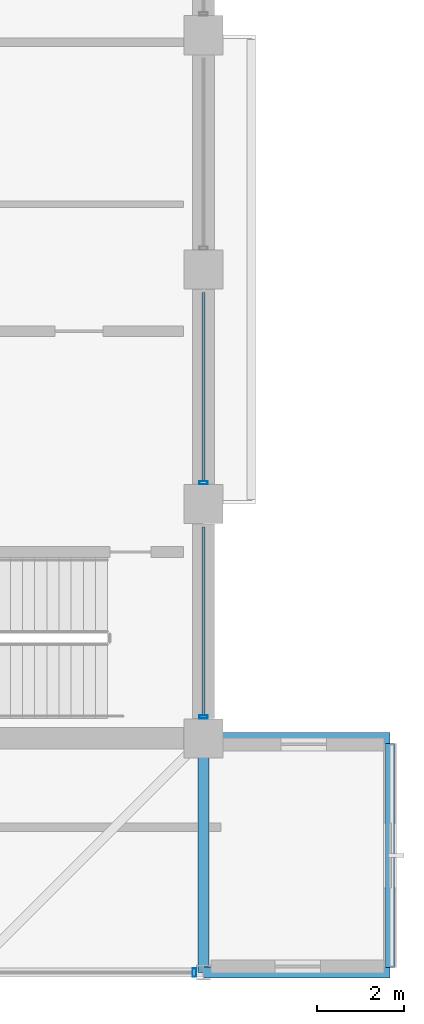
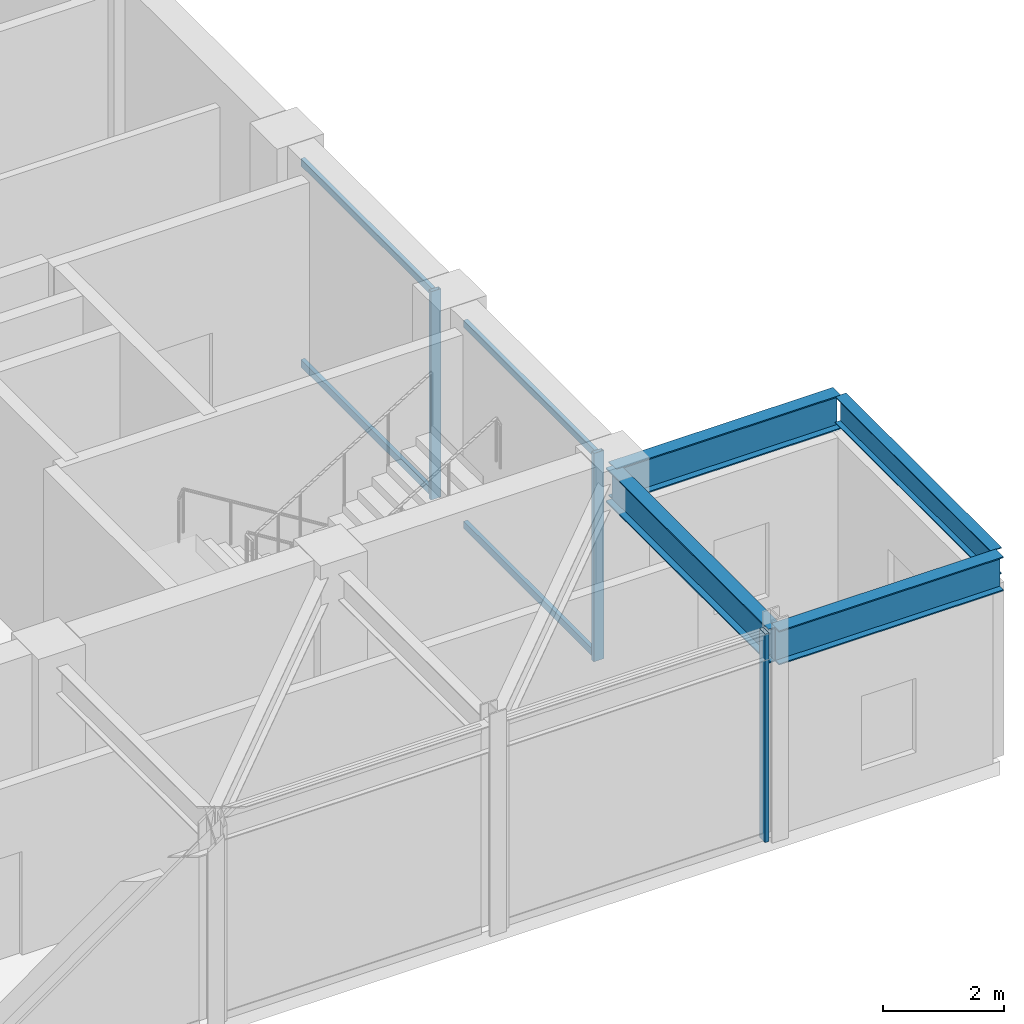
# One storey, part 8 of 18: 7 members, 4 beams, 2 elements without a shape of their own.
"""IFC4 building model written with IfcOpenShell, lengths in metres."""

from ifc_helpers import new_model, si_unit, direction, frame, origin, origin_2d, place, context, subcontext, project, spatial, hollow_rectangle, i_section, extrude, material, layer, layer_set, material_profile, profile_set, type_object, element, aggregate, save


model = new_model("IFC4")

# Units and contexts
model_context = context("Model", 3, precision=1e-05, world=origin(), true_north=direction((0.0, 1.0)))
body_context = subcontext(model_context, "Body", "Model", "MODEL_VIEW")
ifc_project = project(units=[si_unit("LENGTHUNIT", "METRE"), si_unit("AREAUNIT", "SQUARE_METRE"), si_unit("VOLUMEUNIT", "CUBIC_METRE"), si_unit("PLANEANGLEUNIT", "RADIAN"), si_unit("MASSUNIT", "GRAM", prefix="KILO")], contexts=[model_context])

# Site, building, storey
site_placement = place(None, origin())
site = spatial("IfcSite", under=ifc_project, at=site_placement, CompositionType="ELEMENT")
building_placement = place(site_placement, origin())
building = spatial("IfcBuilding", under=site, at=building_placement, Name="Surkhivell Harbour Commons", CompositionType="ELEMENT")
storey_placement = place(building_placement, frame((0.0, 0.0, 351.0)))
storey = spatial("IfcBuildingStorey", under=building, at=storey_placement, Name="L91", CompositionType="ELEMENT", Elevation=351.0)

# Beams
ifc_material_1 = material(Name="Steel S460", Category="steel")
ifc_material_profile_1 = material_profile(ifc_material_1, i_section(OverallWidth=0.256103515625, OverallDepth=0.693115234375, WebThickness=0.014404296875, FlangeThickness=0.023681640625, at=origin_2d()), Name="UB686x254x170")
ifc_profile_set_1 = profile_set([ifc_material_profile_1], Name="Steel S460")
beam_type_1 = type_object("IfcBeamType", Name="BM-CNT-686", PredefinedType="BEAM", material=ifc_profile_set_1)
for number, where, z_axis, x_axis, name in (
    (1, (10.800048828125, -16.199951171875, 3.87353515625), (1.0, 0.0, 0.0), (0.0, 1.0, 0.0), "L91 Box Cantilever Outrigger (10.8,-16.2)"),
    (2, (10.800048828125, -10.800048828125, 3.87353515625), (1.0, 0.0, 0.0), (0.0, 1.0, 0.0), "L91 Box Cantilever Outrigger (10.8,-10.8)"),
):
    element("IfcBeam", number, at=place(storey_placement, frame(where, z_axis=z_axis, x_axis=x_axis)), inside=storey, type_object=beam_type_1, Name=name, PredefinedType="BEAM", context=body_context, shape_type="SweptSolid", body=[
        extrude(i_section(OverallWidth=0.256103515625, OverallDepth=0.693115234375, WebThickness=0.014404296875, FlangeThickness=0.023681640625, at=origin_2d()), origin(), (0.0, 0.0, 1.0), 4.300048828125),
    ])
ifc_material_2 = material(Name="Steel S355", Category="steel")
ifc_material_profile_2 = material_profile(ifc_material_2, i_section(OverallWidth=0.2099609375, OverallDepth=0.537109375, WebThickness=0.0107421875, FlangeThickness=0.017333984375, at=origin_2d()), Name="UB533x210x101")
ifc_profile_set_2 = profile_set([ifc_material_profile_2], Name="Steel S355")
beam_type_2 = type_object("IfcBeamType", Name="BM-GRD-533B", PredefinedType="BEAM", material=ifc_profile_set_2)
beam_1_placement = place(storey_placement, frame((15.10009765625, -16.077880859375, 3.951416015625), z_axis=(0.0, 1.0, 0.0), x_axis=(-1.0, 0.0, 0.0)))
element("IfcBeam", 3, at=beam_1_placement, inside=storey, type_object=beam_type_2, Name="L91 Box Rim Spandrel (15.1,-16.2)", PredefinedType="BEAM", context=body_context, shape_type="SweptSolid", body=[
    extrude(i_section(OverallWidth=0.2099609375, OverallDepth=0.537109375, WebThickness=0.0107421875, FlangeThickness=0.017333984375, at=origin_2d()), origin(), (0.0, 0.0, 1.0), 5.15576171875),
])
ifc_material_profile_3 = material_profile(ifc_material_2, i_section(OverallWidth=0.256103515625, OverallDepth=0.693115234375, WebThickness=0.014404296875, FlangeThickness=0.023681640625, at=origin_2d()), Name="UB686x254x170")
ifc_profile_set_3 = profile_set([ifc_material_profile_3], Name="Steel S355")
beam_type_3 = type_object("IfcBeamType", Name="BM-SPN-686", PredefinedType="SPANDREL", material=ifc_profile_set_3)
beam_2_placement = place(storey_placement, frame((10.800048828125, -16.199951171875, 3.87353515625), z_axis=(0.0, 1.0, 0.0), x_axis=(-1.0, 0.0, 0.0)))
element("IfcBeam", 4, at=beam_2_placement, inside=storey, type_object=beam_type_3, Name="L91 Tube Spandrel (10.8,-16.2)", PredefinedType="SPANDREL", context=body_context, shape_type="SweptSolid", body=[
    extrude(i_section(OverallWidth=0.256103515625, OverallDepth=0.693115234375, WebThickness=0.014404296875, FlangeThickness=0.023681640625, at=origin_2d()), origin(), (0.0, 0.0, 1.0), 5.39990234375),
])

# Curtain wall, member
ifc_material_3 = material(Name="Anodised pale-metal aluminium and insulated glazing", Category="aluminium")
ifc_layer = layer(ifc_material_3, 0.22998046875)
ifc_layer_set = layer_set([ifc_layer], Name="Anodised pale-metal aluminium and insulated glazing")
curtain_wall_type = type_object("IfcCurtainWallType", Name="CW-SYS-CRN", PredefinedType="NOTDEFINED", material=ifc_layer_set)
curtain_wall_1_placement = place(storey_placement, origin())
curtain_wall_1 = element("IfcCurtainWall", 5, at=curtain_wall_1_placement, inside=storey, type_object=curtain_wall_type, Name="L91 Curtain Wall CW-L91-C05", PredefinedType="NOTDEFINED")
ifc_material_4 = material(Name="Anodised pale-metal aluminium alloy 6063-T6", Category="aluminium")
ifc_material_profile_4 = material_profile(ifc_material_4, hollow_rectangle(XDim=0.074951171875, YDim=0.18994140625, WallThickness=0.00390625, at=origin_2d()), Name="ALU-MULL-75x190")
ifc_profile_set_4 = profile_set([ifc_material_profile_4], Name="Anodised pale-metal aluminium alloy 6063-T6")
member_type_1 = type_object("IfcMemberType", Name="CWM-190", PredefinedType="MULLION", material=ifc_profile_set_4)
member_1_placement = place(storey_placement, frame((10.590576171875, -16.199951171875, 0.0), z_axis=(0.0, 0.0, 1.0), x_axis=(1.0, 0.0, 0.0)))
member_1 = element("IfcMember", 6, at=member_1_placement, type_object=member_type_1, Name="CW-CRN mullion 6", PredefinedType="MULLION", context=body_context, shape_type="SweptSolid", body=[
    extrude(hollow_rectangle(XDim=0.074951171875, YDim=0.18994140625, WallThickness=0.00390625, at=origin_2d()), origin(), (0.0, 0.0, 1.0), 4.219970703125),
])
aggregate(curtain_wall_1, [member_1])

# Curtain wall, members
curtain_wall_2_placement = place(storey_placement, origin())
curtain_wall_2 = element("IfcCurtainWall", 7, at=curtain_wall_2_placement, inside=storey, type_object=curtain_wall_type, Name="L91 Curtain Wall CW-L91-C06S1", PredefinedType="NOTDEFINED")
member_2_placement = place(storey_placement, frame((10.800048828125, -10.310546875, 0.0), z_axis=(0.0, 0.0, 1.0), x_axis=(0.0, 1.0, 0.0)))
member_2 = element("IfcMember", 8, at=member_2_placement, type_object=member_type_1, Name="CW-CRN mullion 1", PredefinedType="MULLION", context=body_context, shape_type="SweptSolid", body=[
    extrude(hollow_rectangle(XDim=0.074951171875, YDim=0.18994140625, WallThickness=0.00390625, at=origin_2d()), origin(), (0.0, 0.0, 1.0), 4.219970703125),
])
member_3_placement = place(storey_placement, frame((10.800048828125, -4.910400390625, 0.0), z_axis=(0.0, 0.0, 1.0), x_axis=(0.0, 1.0, 0.0)))
member_3 = element("IfcMember", 9, at=member_3_placement, type_object=member_type_1, Name="CW-CRN mullion 2", PredefinedType="MULLION", context=body_context, shape_type="SweptSolid", body=[
    extrude(hollow_rectangle(XDim=0.074951171875, YDim=0.18994140625, WallThickness=0.00390625, at=origin_2d()), origin(), (0.0, 0.0, 1.0), 4.219970703125),
])
ifc_material_profile_5 = material_profile(ifc_material_4, hollow_rectangle(XDim=0.074951171875, YDim=0.14990234375, WallThickness=0.00341796875, at=origin_2d()), Name="ALU-TRAN-75x150")
ifc_profile_set_5 = profile_set([ifc_material_profile_5], Name="Anodised pale-metal aluminium alloy 6063-T6")
member_type_2 = type_object("IfcMemberType", Name="CWT-150", PredefinedType="USERDEFINED", material=ifc_profile_set_5)
member_4_placement = place(storey_placement, frame((10.800048828125, -10.27294921875, 0.074951171875), z_axis=(0.0, 1.0, 0.0), x_axis=(-1.0, 0.0, 0.0)))
member_4 = element("IfcMember", 10, at=member_4_placement, type_object=member_type_2, Name="CW-CRN transom 1.1", ObjectType="TRANSOM", PredefinedType="USERDEFINED", context=body_context, shape_type="SweptSolid", body=[
    extrude(hollow_rectangle(XDim=0.074951171875, YDim=0.14990234375, WallThickness=0.00341796875, at=origin_2d()), origin(), (0.0, 0.0, 1.0), 4.345947265625),
])
member_5_placement = place(storey_placement, frame((10.800048828125, -10.27294921875, 4.14501953125), z_axis=(0.0, 1.0, 0.0), x_axis=(-1.0, 0.0, 0.0)))
member_5 = element("IfcMember", 11, at=member_5_placement, type_object=member_type_2, Name="CW-CRN transom 1.2", ObjectType="TRANSOM", PredefinedType="USERDEFINED", context=body_context, shape_type="SweptSolid", body=[
    extrude(hollow_rectangle(XDim=0.074951171875, YDim=0.14990234375, WallThickness=0.00341796875, at=origin_2d()), origin(), (0.0, 0.0, 1.0), 4.345947265625),
])
member_6_placement = place(storey_placement, frame((10.800048828125, -4.873046875, 0.074951171875), z_axis=(0.0, 1.0, 0.0), x_axis=(-1.0, 0.0, 0.0)))
member_6 = element("IfcMember", 12, at=member_6_placement, type_object=member_type_2, Name="CW-CRN transom 2.1", ObjectType="TRANSOM", PredefinedType="USERDEFINED", context=body_context, shape_type="SweptSolid", body=[
    extrude(hollow_rectangle(XDim=0.074951171875, YDim=0.14990234375, WallThickness=0.00341796875, at=origin_2d()), origin(), (0.0, 0.0, 1.0), 4.345947265625),
])
member_7_placement = place(storey_placement, frame((10.800048828125, -4.873046875, 4.14501953125), z_axis=(0.0, 1.0, 0.0), x_axis=(-1.0, 0.0, 0.0)))
member_7 = element("IfcMember", 13, at=member_7_placement, type_object=member_type_2, Name="CW-CRN transom 2.2", ObjectType="TRANSOM", PredefinedType="USERDEFINED", context=body_context, shape_type="SweptSolid", body=[
    extrude(hollow_rectangle(XDim=0.074951171875, YDim=0.14990234375, WallThickness=0.00341796875, at=origin_2d()), origin(), (0.0, 0.0, 1.0), 4.345947265625),
])
aggregate(curtain_wall_2, [member_2, member_4, member_5, member_3, member_6, member_7])

save(model, "model.ifc")
